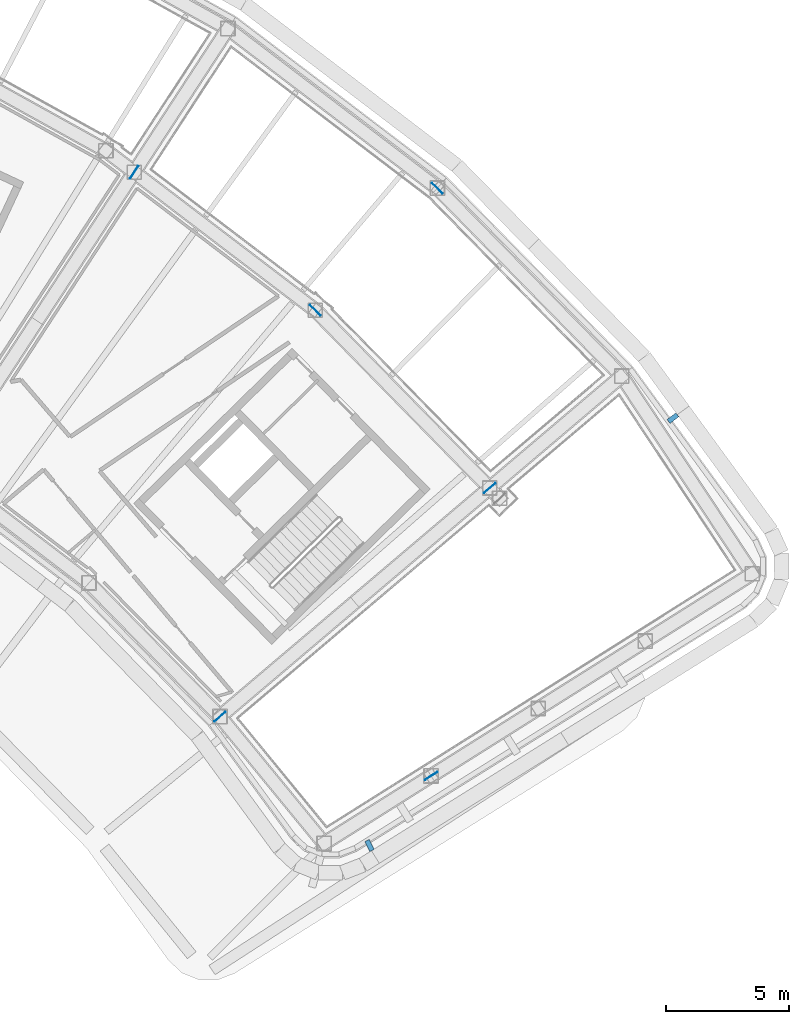
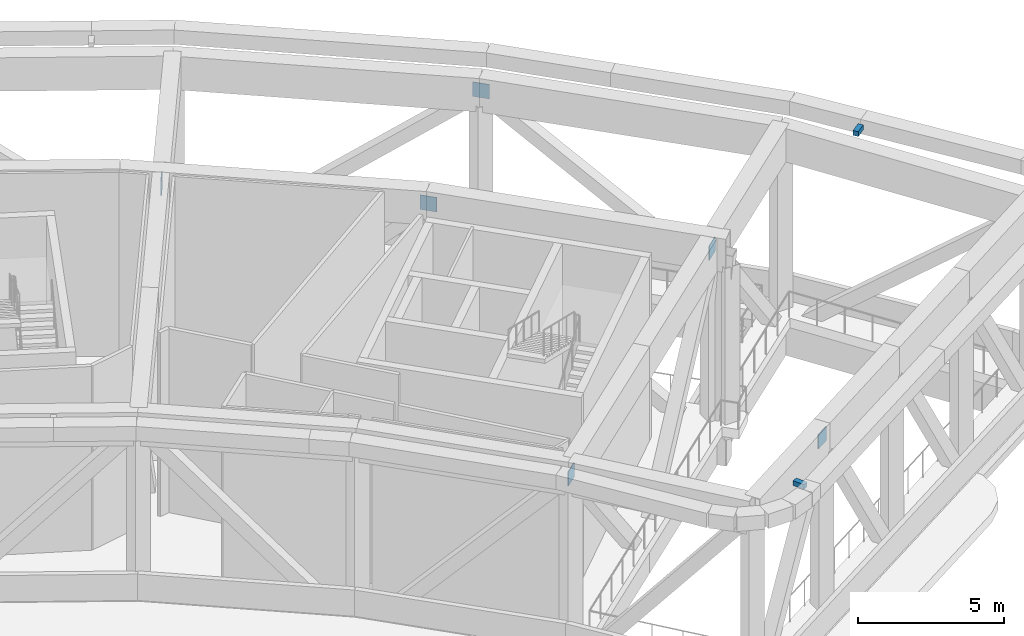
# One storey, part 19 of 27: 8 discrete accessories.
"""IFC4 building model written with IfcOpenShell, lengths in metres."""

from ifc_helpers import new_model, si_unit, direction, frame, origin, origin_2d, place, context, subcontext, project, spatial, rectangle, extrude, material, type_object, element, save


model = new_model("IFC4")

# Units and contexts
model_context = context("Model", 3, precision=1e-05, world=origin(), true_north=direction((0.0, 1.0)))
body_context = subcontext(model_context, "Body", "Model", "MODEL_VIEW")
ifc_project = project(units=[si_unit("LENGTHUNIT", "METRE"), si_unit("AREAUNIT", "SQUARE_METRE"), si_unit("VOLUMEUNIT", "CUBIC_METRE"), si_unit("PLANEANGLEUNIT", "RADIAN"), si_unit("MASSUNIT", "GRAM", prefix="KILO")], contexts=[model_context])

# Site, building, storey
site_placement = place(None, origin())
site = spatial("IfcSite", under=ifc_project, at=site_placement, CompositionType="ELEMENT")
building_placement = place(site_placement, origin())
building = spatial("IfcBuilding", under=site, at=building_placement, Name="Tuul Gate Civic Tower", CompositionType="ELEMENT")
storey_placement = place(building_placement, frame((0.0, 0.0, 201.5)))
storey = spatial("IfcBuildingStorey", under=building, at=storey_placement, Name="Wind floor 1", CompositionType="ELEMENT", Elevation=201.5)

# Discrete accessories
ifc_material_1 = material(Name="Steel S355", Category="steel")
discrete_accessory_type_1 = type_object("IfcDiscreteAccessoryType", Name="Gusset plate", PredefinedType="BRACKET", material=ifc_material_1)
for number, where, z_axis, x_axis, name in (
    (1, (42.53955078125, 0.719482421875, 6.70361328125), (0.0, 0.0, 1.0), (0.546721915066, 0.837314246616, 0.0), "Gusset plate"),
    (2, (56.958251953125, -12.088134765625, 6.70361328125), (0.0, 0.0, 1.0), (0.76282474496, 0.646605295738, 0.0), "Gusset plate"),
    (3, (46.02099609375, -21.361328125, 6.70361328125), (0.0, 0.0, 1.0), (0.76282474496, 0.646605295738, 0.0), "Gusset plate"),
    (4, (49.88720703125, -4.874755859375, 6.703125), (0.0, 0.0, 1.0), (0.700047997827, -0.71409579241, 0.0), "Gusset plate"),
    (5, (54.837158203125, 0.0751953125, 6.702880859375), (0.0, 0.0, 1.0), (0.700047997827, -0.71409579241, 0.0), "Gusset plate"),
    (6, (54.5830078125, -23.76708984375, 6.7041015625), (0.0, 0.0, 1.0), (0.846187288195, 0.532885609956, 0.0), "Gusset plate"),
):
    element("IfcDiscreteAccessory", number, at=place(storey_placement, frame(where, z_axis=z_axis, x_axis=x_axis)), inside=storey, type_object=discrete_accessory_type_1, Name=name, PredefinedType="BRACKET", context=body_context, shape_type="SweptSolid", body=[
        extrude(rectangle(XDim=0.60009765625, YDim=0.030029296875, at=origin_2d()), origin(), (0.0, 0.0, 1.0), 0.60009765625),
    ])
ifc_material_2 = material(Name="Stainless steel", Category="steel")
discrete_accessory_type_2 = type_object("IfcDiscreteAccessoryType", Name="Screen bracket", PredefinedType="BRACKET", material=ifc_material_2)
discrete_accessory_1_placement = place(storey_placement, frame((64.39208984375, -9.254638671875, 7.5498046875), z_axis=(0.0, 0.0, 1.0), x_axis=(0.796533083687, 0.604594944233, 0.0)))
element("IfcDiscreteAccessory", 7, at=discrete_accessory_1_placement, inside=storey, type_object=discrete_accessory_type_2, Name="Screen bracket 1", PredefinedType="BRACKET", context=body_context, shape_type="SweptSolid", body=[
    extrude(rectangle(XDim=0.4501953125, YDim=0.199951171875, at=origin_2d()), origin(), (0.0, 0.0, 1.0), 0.199951171875),
])
discrete_accessory_2_placement = place(storey_placement, frame((52.084716796875, -26.586181640625, 7.5498046875), z_axis=(0.0, 0.0, 1.0), x_axis=(0.453848979937, -0.891078617974, 0.0)))
element("IfcDiscreteAccessory", 8, at=discrete_accessory_2_placement, inside=storey, type_object=discrete_accessory_type_2, Name="Screen bracket 31", PredefinedType="BRACKET", context=body_context, shape_type="SweptSolid", body=[
    extrude(rectangle(XDim=0.45166015625, YDim=0.199951171875, at=origin_2d()), origin(), (0.0, 0.0, 1.0), 0.199951171875),
])

save(model, "model.ifc")
